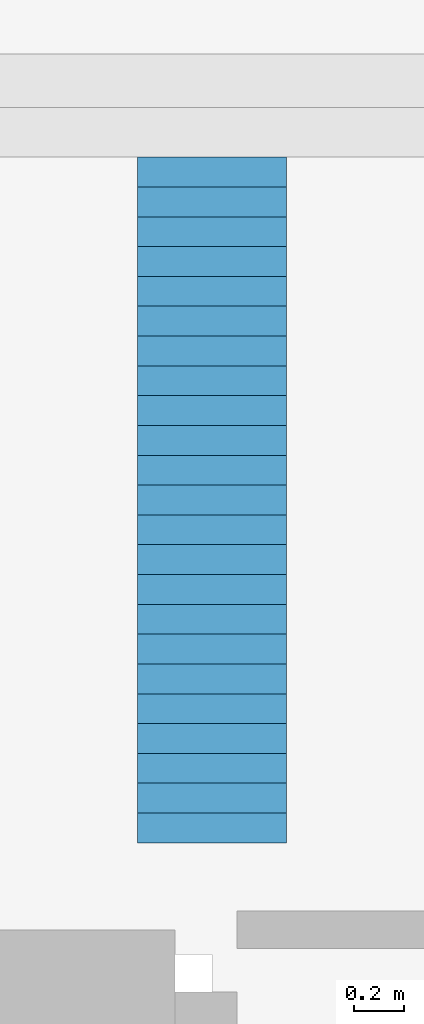
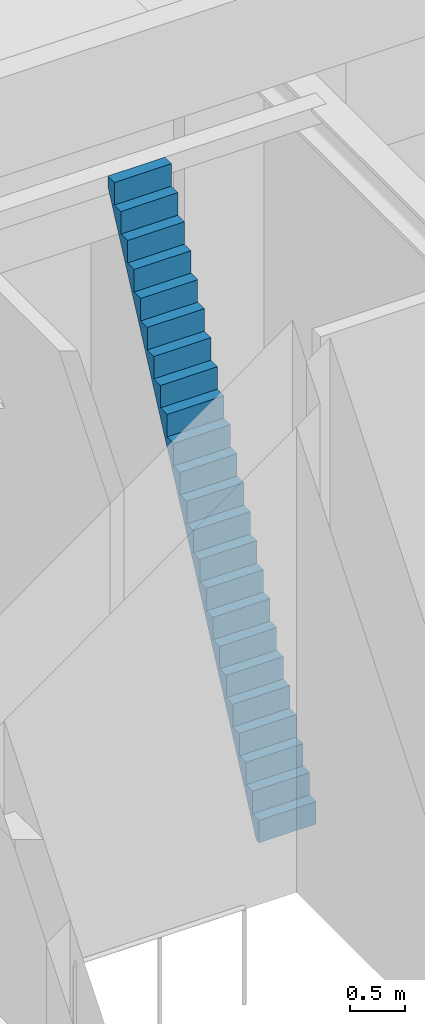
# One storey, part 7 of 15: 1 stair flight, 1 element without a shape of its own.
"""IFC4 building model written with IfcOpenShell, lengths in metres."""

from ifc_helpers import new_model, si_unit, direction, frame, origin, place, context, subcontext, project, spatial, polyline, outline, extrude, material, type_object, element, aggregate, save


model = new_model("IFC4")

# Units and contexts
model_context = context("Model", 3, precision=1e-05, world=origin(), true_north=direction((0.0, 1.0)))
body_context = subcontext(model_context, "Body", "Model", "MODEL_VIEW")
ifc_project = project(units=[si_unit("LENGTHUNIT", "METRE"), si_unit("AREAUNIT", "SQUARE_METRE"), si_unit("VOLUMEUNIT", "CUBIC_METRE"), si_unit("PLANEANGLEUNIT", "RADIAN"), si_unit("MASSUNIT", "GRAM", prefix="KILO")], contexts=[model_context])

# Site, building, storey
site_placement = place(None, origin())
site = spatial("IfcSite", under=ifc_project, at=site_placement, CompositionType="ELEMENT")
building_placement = place(site_placement, origin())
building = spatial("IfcBuilding", under=site, at=building_placement, Name="Isbrekke Arena Tower", CompositionType="ELEMENT")
storey_placement = place(building_placement, frame((0.0, 0.0, 324.0)))
storey = spatial("IfcBuildingStorey", under=building, at=storey_placement, Name="L76", CompositionType="ELEMENT", Elevation=324.0)

# Stair, stair flight
ifc_material_1 = material(Name="Galvanised steel ship's ladder with handrails both sides", Category="steel")
stair_type = type_object("IfcStairType", Name="RL1 SHIP'S LADDER 600 WIDE, 24 TREADS 250", PredefinedType="USERDEFINED", material=ifc_material_1)
stair_placement = place(storey_placement, origin())
stair = element("IfcStair", 1, at=stair_placement, inside=storey, type_object=stair_type, Name="RL1 roof access ladder", ObjectType="LADDER", PredefinedType="USERDEFINED")
ifc_material_2 = material(Name="Galvanised steel ladder flight", Category="steel")
stair_flight_type = type_object("IfcStairFlightType", Name="RLF 600 LADDER FLIGHT", PredefinedType="STRAIGHT", material=ifc_material_2)
stair_flight_placement = place(storey_placement, frame((14.0, 24.449951171875, 0.0), z_axis=(0.0, 0.0, 1.0), x_axis=(0.0, 1.0, 0.0)))
stair_flight = element("IfcStairFlight", 2, at=stair_flight_placement, type_object=stair_flight_type, Name="RL1 flight 1", NumberOfRisers=24, NumberOfTreads=23, PredefinedType="STRAIGHT", RiserHeight=0.25, TreadLength=0.12, context=body_context, shape_type="SweptSolid", body=[
    extrude(outline(polyline([(0.0, 0.0), (0.0, 0.25), (0.1201171875, 0.25), (0.1201171875, 0.5), (0.239990234375, 0.5), (0.239990234375, 0.75), (0.360107421875, 0.75), (0.360107421875, 1.0), (0.47998046875, 1.0), (0.47998046875, 1.25), (0.60009765625, 1.25), (0.60009765625, 1.5), (0.719970703125, 1.5), (0.719970703125, 1.75), (0.840087890625, 1.75), (0.840087890625, 2.0), (0.9599609375, 2.0), (0.9599609375, 2.25), (1.080078125, 2.25), (1.080078125, 2.5), (1.199951171875, 2.5), (1.199951171875, 2.75), (1.320068359375, 2.75), (1.320068359375, 3.0), (1.43994140625, 3.0), (1.43994140625, 3.25), (1.56005859375, 3.25), (1.56005859375, 3.5), (1.679931640625, 3.5), (1.679931640625, 3.75), (1.800048828125, 3.75), (1.800048828125, 4.0), (1.919921875, 4.0), (1.919921875, 4.25), (2.0400390625, 4.25), (2.0400390625, 4.5), (2.159912109375, 4.5), (2.159912109375, 4.75), (2.280029296875, 4.75), (2.280029296875, 5.0), (2.39990234375, 5.0), (2.39990234375, 5.25), (2.52001953125, 5.25), (2.52001953125, 5.5), (2.639892578125, 5.5), (2.639892578125, 5.75), (2.760009765625, 5.75), (2.760009765625, 6.0), (2.760009765625, 5.63427734375), (0.055419921875, 0.0), (0.0, 0.0)])), frame((0.0, 0.300048828125, 0.0), z_axis=(0.0, -1.0, 0.0), x_axis=(1.0, 0.0, 0.0)), (0.0, 0.0, 1.0), 0.60009765625),
])
aggregate(stair, [stair_flight])

save(model, "model.ifc")
